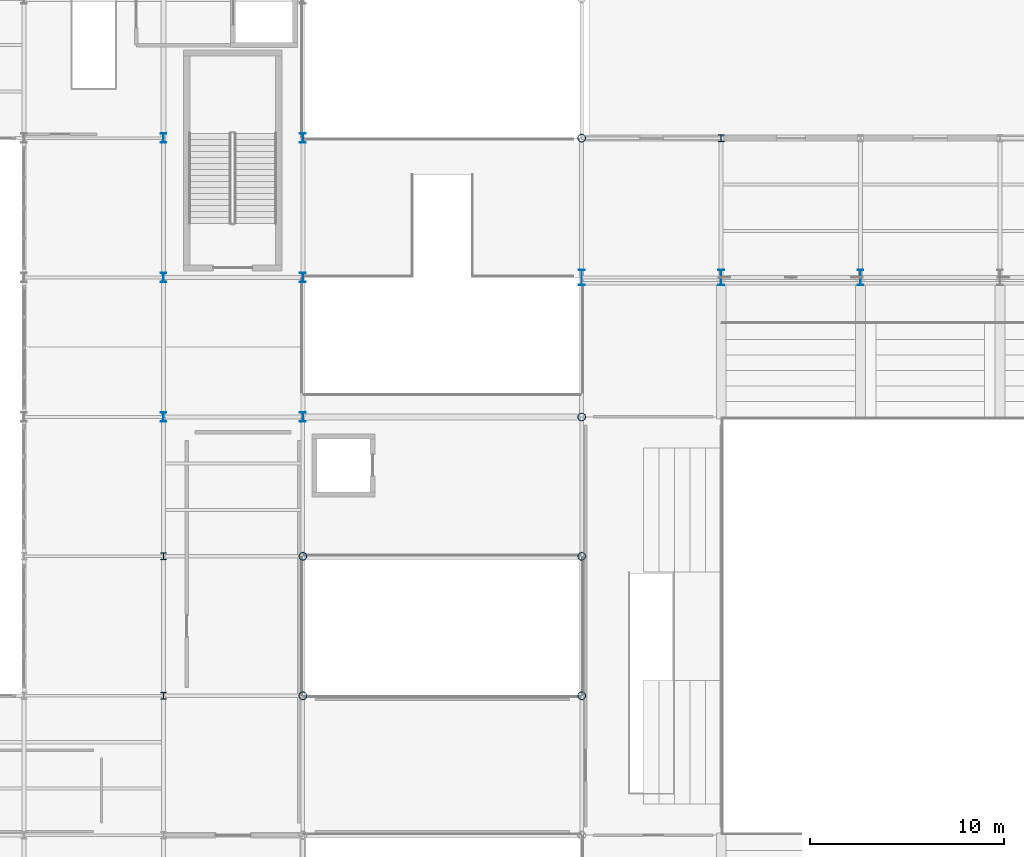
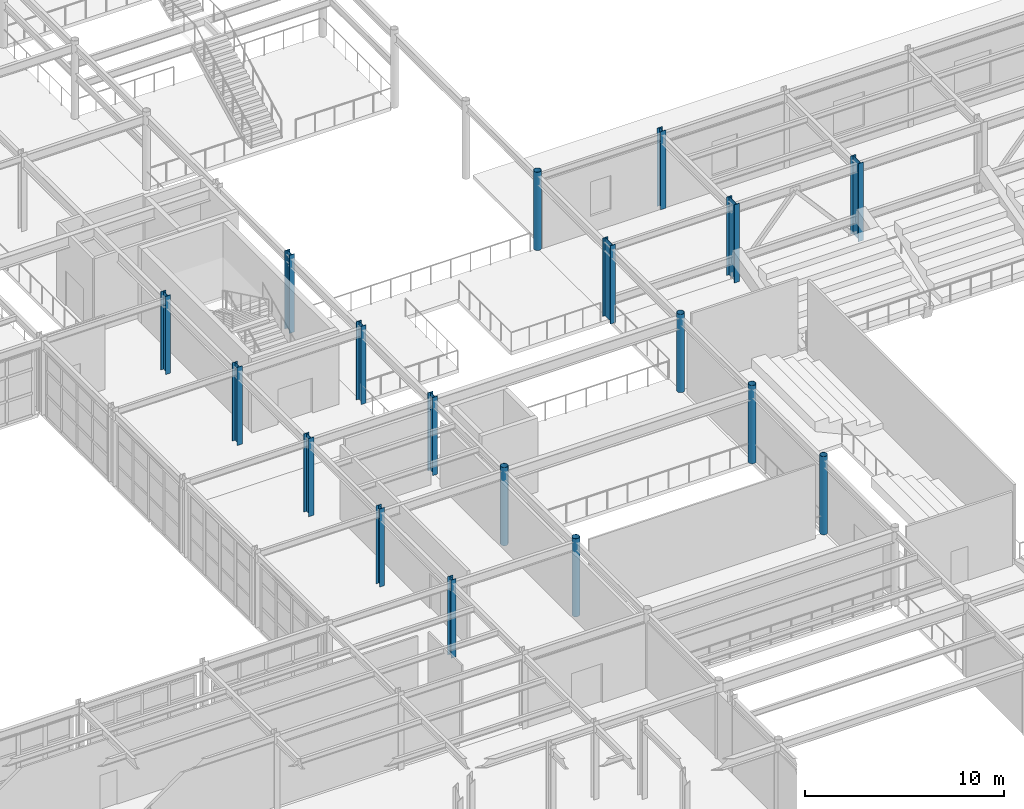
# One storey, part 6 of 121: 18 columns.
"""IFC4 building model written with IfcOpenShell, lengths in metres."""

from ifc_helpers import new_model, si_unit, direction, frame, origin, origin_2d, place, context, subcontext, project, spatial, hollow_circle, i_section, extrude, material, material_profile, profile_set, type_object, element, save


model = new_model("IFC4")

# Units and contexts
model_context = context("Model", 3, precision=1e-05, world=origin(), true_north=direction((0.0, 1.0)))
body_context = subcontext(model_context, "Body", "Model", "MODEL_VIEW")
ifc_project = project(units=[si_unit("LENGTHUNIT", "METRE"), si_unit("AREAUNIT", "SQUARE_METRE"), si_unit("VOLUMEUNIT", "CUBIC_METRE"), si_unit("PLANEANGLEUNIT", "RADIAN"), si_unit("MASSUNIT", "GRAM", prefix="KILO")], contexts=[model_context])

# Site, building, storey
site_placement = place(None, origin())
site = spatial("IfcSite", under=ifc_project, at=site_placement, CompositionType="ELEMENT")
building_placement = place(site_placement, origin())
building = spatial("IfcBuilding", under=site, at=building_placement, Name="Solvadek Multi-Sports Hall", CompositionType="ELEMENT")
storey_placement = place(building_placement, frame((0.0, 0.0, 4.800048828125)))
storey = spatial("IfcBuildingStorey", under=building, at=storey_placement, Name="L01", CompositionType="ELEMENT", Elevation=4.800048828125)

# Columns
ifc_material = material(Name="Steel E350 (350 MPa)", Category="steel")
ifc_material_profile_1 = material_profile(ifc_material, hollow_circle(Radius=0.203125, WallThickness=0.01611328125, at=origin_2d()), Name="CHS 406.4x16")
ifc_profile_set_1 = profile_set([ifc_material_profile_1], Name="Steel E350 (350 MPa)")
column_type_1 = type_object("IfcColumnType", Name="STR-COL-CHS406", PredefinedType="COLUMN", material=ifc_profile_set_1)
for number, where, z_axis, x_axis, name in (
    (1, (72.0, 20.39990234375, 0.0), (0.0, 0.0, 1.0), (1.0, 0.0, 0.0), "L01 Column C-11 #147"),
    (2, (72.0, 27.60009765625, 0.0), (0.0, 0.0, 1.0), (1.0, 0.0, 0.0), "L01 Column C-11 #148"),
    (3, (86.39990234375, 20.39990234375, 0.0), (0.0, 0.0, 1.0), (1.0, 0.0, 0.0), "L01 Column C-11 #177"),
    (4, (86.39990234375, 27.60009765625, 0.0), (0.0, 0.0, 1.0), (1.0, 0.0, 0.0), "L01 Column C-11 #178"),
    (5, (86.39990234375, 34.800048828125, 0.0), (0.0, 0.0, 1.0), (1.0, 0.0, 0.0), "L01 Column C-11 #179"),
    (6, (86.39990234375, 49.199951171875, 0.0), (0.0, 0.0, 1.0), (1.0, 0.0, 0.0), "L01 Column C-11 #181"),
):
    element("IfcColumn", number, at=place(storey_placement, frame(where, z_axis=z_axis, x_axis=x_axis)), inside=storey, type_object=column_type_1, Name=name, PredefinedType="COLUMN", context=body_context, shape_type="SweptSolid", body=[
        extrude(hollow_circle(Radius=0.203125, WallThickness=0.01611328125, at=origin_2d()), origin(), (0.0, 0.0, 1.0), 4.800048828125),
    ])
ifc_material_profile_2 = material_profile(ifc_material, i_section(OverallWidth=0.300048828125, OverallDepth=0.360107421875, WebThickness=0.012451171875, FlangeThickness=0.0224609375, at=origin_2d()), Name="WPB 360")
ifc_profile_set_2 = profile_set([ifc_material_profile_2], Name="Steel E350 (350 MPa)")
column_type_2 = type_object("IfcColumnType", Name="STR-COL-WPB360", PredefinedType="COLUMN", material=ifc_profile_set_2)
for number, where, z_axis, x_axis, name in (
    (7, (64.800048828125, 20.39990234375, 0.0), (0.0, 0.0, 1.0), (1.0, 0.0, 0.0), "L01 Column C-08 #132"),
    (8, (64.800048828125, 27.60009765625, 0.0), (0.0, 0.0, 1.0), (1.0, 0.0, 0.0), "L01 Column C-08 #133"),
    (9, (93.60009765625, 49.199951171875, 0.0), (0.0, 0.0, 1.0), (1.0, 0.0, 0.0), "L01 Column C-08 #196"),
):
    element("IfcColumn", number, at=place(storey_placement, frame(where, z_axis=z_axis, x_axis=x_axis)), inside=storey, type_object=column_type_2, Name=name, PredefinedType="COLUMN", context=body_context, shape_type="SweptSolid", body=[
        extrude(i_section(OverallWidth=0.300048828125, OverallDepth=0.360107421875, WebThickness=0.012451171875, FlangeThickness=0.0224609375, at=origin_2d()), origin(), (0.0, 0.0, 1.0), 4.800048828125),
    ])
ifc_material_profile_3 = material_profile(ifc_material, i_section(OverallWidth=0.300048828125, OverallDepth=0.5, WebThickness=0.014404296875, FlangeThickness=0.028076171875, at=origin_2d()), Name="WPB 500")
ifc_profile_set_3 = profile_set([ifc_material_profile_3], Name="Steel E350 (350 MPa)")
column_type_3 = type_object("IfcColumnType", Name="STR-COL-WPB500", PredefinedType="COLUMN", material=ifc_profile_set_3)
for number, where, z_axis, x_axis, name in (
    (10, (64.800048828125, 34.800048828125, 0.0), (0.0, 0.0, 1.0), (1.0, 0.0, 0.0), "L01 Column C-05 #134"),
    (11, (64.800048828125, 42.0, 0.0), (0.0, 0.0, 1.0), (1.0, 0.0, 0.0), "L01 Column C-05 #135"),
    (12, (64.800048828125, 49.199951171875, 0.0), (0.0, 0.0, 1.0), (1.0, 0.0, 0.0), "L01 Column C-05 #136"),
    (13, (72.0, 34.800048828125, 0.0), (0.0, 0.0, 1.0), (1.0, 0.0, 0.0), "L01 Column C-05 #149"),
    (14, (72.0, 42.0, 0.0), (0.0, 0.0, 1.0), (1.0, 0.0, 0.0), "L01 Column C-05 #150"),
    (15, (72.0, 49.199951171875, 0.0), (0.0, 0.0, 1.0), (1.0, 0.0, 0.0), "L01 Column C-05 #151"),
):
    element("IfcColumn", number, at=place(storey_placement, frame(where, z_axis=z_axis, x_axis=x_axis)), inside=storey, type_object=column_type_3, Name=name, PredefinedType="COLUMN", context=body_context, shape_type="SweptSolid", body=[
        extrude(i_section(OverallWidth=0.300048828125, OverallDepth=0.5, WebThickness=0.014404296875, FlangeThickness=0.028076171875, at=origin_2d()), origin(), (0.0, 0.0, 1.0), 4.800048828125),
    ])
ifc_material_profile_4 = material_profile(ifc_material, i_section(OverallWidth=0.300048828125, OverallDepth=0.800048828125, WebThickness=0.017578125, FlangeThickness=0.032958984375, at=origin_2d()), Name="WPB 800")
ifc_profile_set_4 = profile_set([ifc_material_profile_4], Name="Steel E350 (350 MPa)")
column_type_4 = type_object("IfcColumnType", Name="STR-COL-WPB800", PredefinedType="COLUMN", material=ifc_profile_set_4)
for number, where, z_axis, x_axis, name in (
    (16, (86.39990234375, 42.0, 0.0), (0.0, 0.0, 1.0), (1.0, 0.0, 0.0), "L01 Column C-01 #180"),
    (17, (93.60009765625, 42.0, 0.0), (0.0, 0.0, 1.0), (1.0, 0.0, 0.0), "L01 Column C-01 #195"),
    (18, (100.800048828125, 42.0, 0.0), (0.0, 0.0, 1.0), (1.0, 0.0, 0.0), "L01 Column C-01 #203"),
):
    element("IfcColumn", number, at=place(storey_placement, frame(where, z_axis=z_axis, x_axis=x_axis)), inside=storey, type_object=column_type_4, Name=name, PredefinedType="COLUMN", context=body_context, shape_type="SweptSolid", body=[
        extrude(i_section(OverallWidth=0.300048828125, OverallDepth=0.800048828125, WebThickness=0.017578125, FlangeThickness=0.032958984375, at=origin_2d()), origin(), (0.0, 0.0, 1.0), 4.800048828125),
    ])

save(model, "model.ifc")
